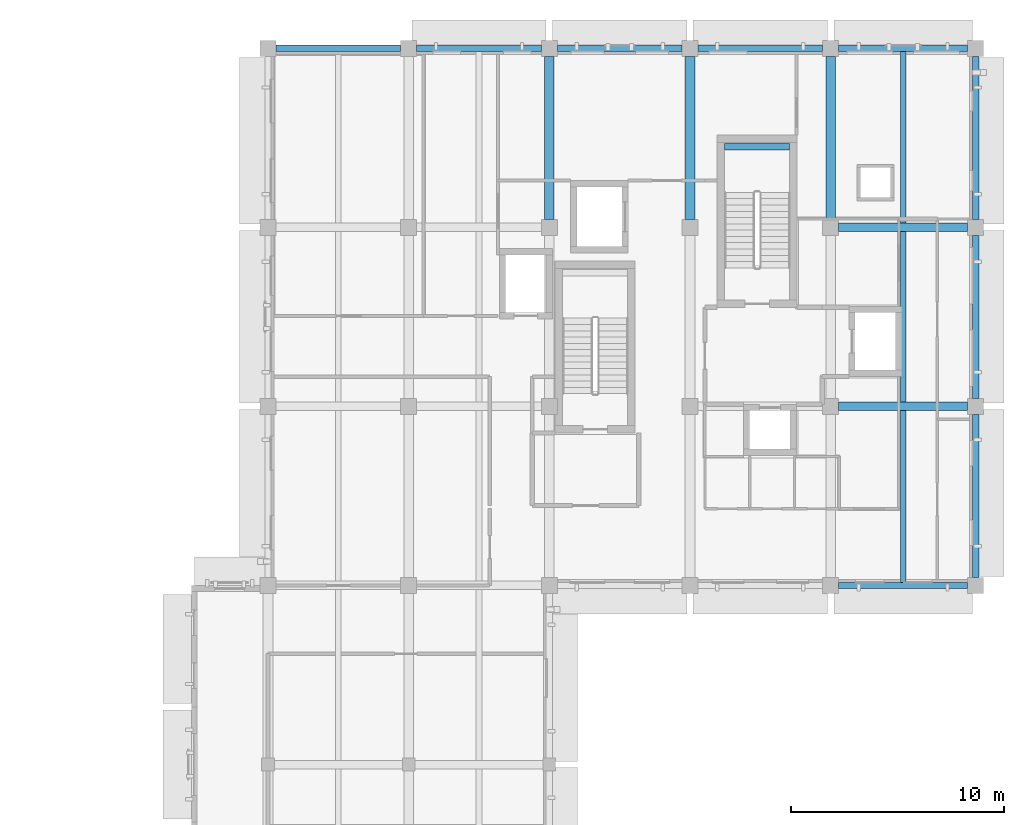
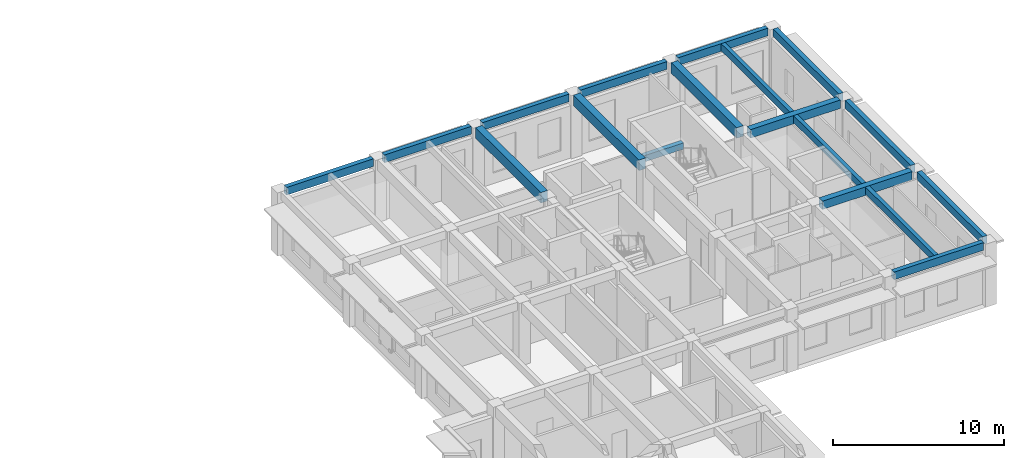
# One storey, part 3 of 20: 18 beams.
"""IFC4 building model written with IfcOpenShell, lengths in metres."""

from ifc_helpers import new_model, si_unit, direction, frame, origin, origin_2d, place, context, subcontext, project, spatial, rectangle, extrude, material, material_profile, profile_set, type_object, element, save


model = new_model("IFC4")

# Units and contexts
model_context = context("Model", 3, precision=1e-05, world=origin(), true_north=direction((0.0, 1.0)))
body_context = subcontext(model_context, "Body", "Model", "MODEL_VIEW")
ifc_project = project(units=[si_unit("LENGTHUNIT", "METRE"), si_unit("AREAUNIT", "SQUARE_METRE"), si_unit("VOLUMEUNIT", "CUBIC_METRE"), si_unit("PLANEANGLEUNIT", "RADIAN"), si_unit("MASSUNIT", "GRAM", prefix="KILO")], contexts=[model_context])

# Site, building, storey
site_placement = place(None, origin())
site = spatial("IfcSite", under=ifc_project, at=site_placement, CompositionType="ELEMENT")
building_placement = place(site_placement, origin())
building = spatial("IfcBuilding", under=site, at=building_placement, Name="Kolvaren Faculty of Natural Sciences", CompositionType="ELEMENT")
storey_placement = place(building_placement, frame((0.0, 0.0, 24.0)))
storey = spatial("IfcBuildingStorey", under=building, at=storey_placement, Name="L05", CompositionType="ELEMENT", Elevation=24.0)

# Beams
ifc_material_1 = material(Name="Concrete C40/50", Category="concrete")
ifc_material_profile_1 = material_profile(ifc_material_1, rectangle(XDim=0.300048828125, YDim=0.449951171875, at=origin_2d()), Name="RC LNT 300x450")
ifc_profile_set_1 = profile_set([ifc_material_profile_1], Name="Concrete C40/50")
beam_type_1 = type_object("IfcBeamType", Name="CoreCouplingLintel_300x450", PredefinedType="LINTEL", material=ifc_profile_set_1)
beam_1_placement = place(storey_placement, frame((160.22509765625, 79.580078125, 1.824951171875), z_axis=(1.0, 0.0, 0.0), x_axis=(0.0, 1.0, 0.0)))
element("IfcBeam", 1, at=beam_1_placement, inside=storey, type_object=beam_type_1, Name="L05 ST-1 half-landing support lintel", PredefinedType="LINTEL", context=body_context, shape_type="SweptSolid", body=[
    extrude(rectangle(XDim=0.300048828125, YDim=0.449951171875, at=origin_2d()), origin(), (0.0, 0.0, 1.0), 3.0498046875),
])
ifc_material_2 = material(Name="Concrete C35/45", Category="concrete")
ifc_material_profile_2 = material_profile(ifc_material_2, rectangle(XDim=0.39990234375, YDim=0.60009765625, at=origin_2d()), Name="RC BM 400x600")
ifc_profile_set_2 = profile_set([ifc_material_profile_2], Name="Concrete C35/45")
beam_type_2 = type_object("IfcBeamType", Name="GridBeam_400x600", PredefinedType="BEAM", material=ifc_profile_set_2)
for number, where, z_axis, x_axis, name in (
    (2, (165.574951171875, 67.39990234375, 4.199951171875), (1.0, 0.0, 0.0), (0.0, 1.0, 0.0), "L05 beam BM-60 on grid J"),
    (3, (165.574951171875, 75.800048828125, 4.199951171875), (1.0, 0.0, 0.0), (0.0, 1.0, 0.0), "L05 beam BM-60 on grid K"),
):
    element("IfcBeam", number, at=place(storey_placement, frame(where, z_axis=z_axis, x_axis=x_axis)), inside=storey, type_object=beam_type_2, Name=name, PredefinedType="BEAM", context=body_context, shape_type="SweptSolid", body=[
        extrude(rectangle(XDim=0.39990234375, YDim=0.60009765625, at=origin_2d()), origin(), (0.0, 0.0, 1.0), 6.050048828125),
    ])
ifc_material_profile_3 = material_profile(ifc_material_2, rectangle(XDim=0.260009765625, YDim=0.5, at=origin_2d()), Name="RC JST 260x500")
ifc_profile_set_3 = profile_set([ifc_material_profile_3], Name="Concrete C35/45")
beam_type_3 = type_object("IfcBeamType", Name="LabRibJoist_260x500", PredefinedType="JOIST", material=ifc_profile_set_3)
beam_2_placement = place(storey_placement, frame((168.60009765625, 59.14990234375, 4.25), z_axis=(0.0, 1.0, 0.0), x_axis=(-1.0, 0.0, 0.0)))
element("IfcBeam", 4, at=beam_2_placement, inside=storey, type_object=beam_type_3, Name="L05 ribbed laboratory slab joist JS-50", PredefinedType="JOIST", context=body_context, shape_type="SweptSolid", body=[
    extrude(rectangle(XDim=0.260009765625, YDim=0.5, at=origin_2d()), origin(), (0.0, 0.0, 1.0), 8.050048828125),
])
beam_3_placement = place(storey_placement, frame((168.60009765625, 67.60009765625, 4.25), z_axis=(0.0, 1.0, 0.0), x_axis=(-1.0, 0.0, 0.0)))
element("IfcBeam", 5, at=beam_3_placement, inside=storey, type_object=beam_type_3, Name="L05 ribbed laboratory slab joist JS-50", PredefinedType="JOIST", context=body_context, shape_type="SweptSolid", body=[
    extrude(rectangle(XDim=0.260009765625, YDim=0.5, at=origin_2d()), origin(), (0.0, 0.0, 1.0), 8.0),
])
beam_4_placement = place(storey_placement, frame((168.60009765625, 76.0, 4.25), z_axis=(0.0, 1.0, 0.0), x_axis=(-1.0, 0.0, 0.0)))
element("IfcBeam", 6, at=beam_4_placement, inside=storey, type_object=beam_type_3, Name="L05 ribbed laboratory slab joist JS-50", PredefinedType="JOIST", context=body_context, shape_type="SweptSolid", body=[
    extrude(rectangle(XDim=0.260009765625, YDim=0.5, at=origin_2d()), origin(), (0.0, 0.0, 1.0), 8.050048828125),
])
ifc_material_profile_4 = material_profile(ifc_material_2, rectangle(XDim=0.300048828125, YDim=0.550048828125, at=origin_2d()), Name="RC SP 300x550")
ifc_profile_set_4 = profile_set([ifc_material_profile_4], Name="Concrete C35/45")
beam_type_4 = type_object("IfcBeamType", Name="PerimeterSpandrel_300x550", PredefinedType="SPANDREL", material=ifc_profile_set_4)
beam_5_placement = place(storey_placement, frame((165.574951171875, 59.0, 4.22509765625), z_axis=(1.0, 0.0, 0.0), x_axis=(0.0, 1.0, 0.0)))
element("IfcBeam", 7, at=beam_5_placement, inside=storey, type_object=beam_type_4, Name="L05 spandrel SP-55 on grid H", PredefinedType="SPANDREL", context=body_context, shape_type="SweptSolid", body=[
    extrude(rectangle(XDim=0.300048828125, YDim=0.550048828125, at=origin_2d()), origin(), (0.0, 0.0, 1.0), 6.050048828125),
])
beam_6_placement = place(storey_placement, frame((139.175048828125, 84.199951171875, 4.22509765625), z_axis=(1.0, 0.0, 0.0), x_axis=(0.0, 1.0, 0.0)))
element("IfcBeam", 8, at=beam_6_placement, inside=storey, type_object=beam_type_4, Name="L05 spandrel SP-55 on grid L", PredefinedType="SPANDREL", context=body_context, shape_type="SweptSolid", body=[
    extrude(rectangle(XDim=0.300048828125, YDim=0.550048828125, at=origin_2d()), origin(), (0.0, 0.0, 1.0), 5.849853515625),
])
for number, where, z_axis, x_axis, name in (
    (9, (145.77490234375, 84.199951171875, 4.22509765625), (1.0, 0.0, 0.0), (0.0, 1.0, 0.0), "L05 spandrel SP-55 on grid L"),
    (10, (152.375, 84.199951171875, 4.22509765625), (1.0, 0.0, 0.0), (0.0, 1.0, 0.0), "L05 spandrel SP-55 on grid L"),
):
    element("IfcBeam", number, at=place(storey_placement, frame(where, z_axis=z_axis, x_axis=x_axis)), inside=storey, type_object=beam_type_4, Name=name, PredefinedType="SPANDREL", context=body_context, shape_type="SweptSolid", body=[
        extrude(rectangle(XDim=0.300048828125, YDim=0.550048828125, at=origin_2d()), origin(), (0.0, 0.0, 1.0), 5.85009765625),
    ])
beam_7_placement = place(storey_placement, frame((158.97509765625, 84.199951171875, 4.22509765625), z_axis=(1.0, 0.0, 0.0), x_axis=(0.0, 1.0, 0.0)))
element("IfcBeam", 11, at=beam_7_placement, inside=storey, type_object=beam_type_4, Name="L05 spandrel SP-55 on grid L", PredefinedType="SPANDREL", context=body_context, shape_type="SweptSolid", body=[
    extrude(rectangle(XDim=0.300048828125, YDim=0.550048828125, at=origin_2d()), origin(), (0.0, 0.0, 1.0), 5.849853515625),
])
beam_8_placement = place(storey_placement, frame((165.574951171875, 84.199951171875, 4.22509765625), z_axis=(1.0, 0.0, 0.0), x_axis=(0.0, 1.0, 0.0)))
element("IfcBeam", 12, at=beam_8_placement, inside=storey, type_object=beam_type_4, Name="L05 spandrel SP-55 on grid L", PredefinedType="SPANDREL", context=body_context, shape_type="SweptSolid", body=[
    extrude(rectangle(XDim=0.300048828125, YDim=0.550048828125, at=origin_2d()), origin(), (0.0, 0.0, 1.0), 6.050048828125),
])
beam_9_placement = place(storey_placement, frame((172.0, 59.375, 4.22509765625), z_axis=(0.0, 1.0, 0.0), x_axis=(-1.0, 0.0, 0.0)))
element("IfcBeam", 13, at=beam_9_placement, inside=storey, type_object=beam_type_4, Name="L05 girder SP-55 on grid 27", PredefinedType="SPANDREL", context=body_context, shape_type="SweptSolid", body=[
    extrude(rectangle(XDim=0.300048828125, YDim=0.550048828125, at=origin_2d()), origin(), (0.0, 0.0, 1.0), 7.64990234375),
])
beam_10_placement = place(storey_placement, frame((172.0, 67.77490234375, 4.22509765625), z_axis=(0.0, 1.0, 0.0), x_axis=(-1.0, 0.0, 0.0)))
element("IfcBeam", 14, at=beam_10_placement, inside=storey, type_object=beam_type_4, Name="L05 girder SP-55 on grid 27", PredefinedType="SPANDREL", context=body_context, shape_type="SweptSolid", body=[
    extrude(rectangle(XDim=0.300048828125, YDim=0.550048828125, at=origin_2d()), origin(), (0.0, 0.0, 1.0), 7.650146484375),
])
beam_11_placement = place(storey_placement, frame((172.0, 76.175048828125, 4.22509765625), z_axis=(0.0, 1.0, 0.0), x_axis=(-1.0, 0.0, 0.0)))
element("IfcBeam", 15, at=beam_11_placement, inside=storey, type_object=beam_type_4, Name="L05 girder SP-55 on grid 27", PredefinedType="SPANDREL", context=body_context, shape_type="SweptSolid", body=[
    extrude(rectangle(XDim=0.300048828125, YDim=0.550048828125, at=origin_2d()), origin(), (0.0, 0.0, 1.0), 7.64990234375),
])
ifc_material_profile_5 = material_profile(ifc_material_2, rectangle(XDim=0.449951171875, YDim=0.75, at=origin_2d()), Name="RC BM 450x750")
ifc_profile_set_5 = profile_set([ifc_material_profile_5], Name="Concrete C35/45")
beam_type_5 = type_object("IfcBeamType", Name="PrimaryGirder_450x750", PredefinedType="BEAM", material=ifc_profile_set_5)
for number, where, z_axis, x_axis, name in (
    (16, (152.0, 76.175048828125, 4.125), (0.0, 1.0, 0.0), (-1.0, 0.0, 0.0), "L05 girder BG-75 on grid 24"),
    (17, (158.60009765625, 76.175048828125, 4.125), (0.0, 1.0, 0.0), (-1.0, 0.0, 0.0), "L05 girder BG-75 on grid 25"),
    (18, (165.199951171875, 76.175048828125, 4.125), (0.0, 1.0, 0.0), (-1.0, 0.0, 0.0), "L05 girder BG-75 on grid 26"),
):
    element("IfcBeam", number, at=place(storey_placement, frame(where, z_axis=z_axis, x_axis=x_axis)), inside=storey, type_object=beam_type_5, Name=name, PredefinedType="BEAM", context=body_context, shape_type="SweptSolid", body=[
        extrude(rectangle(XDim=0.449951171875, YDim=0.75, at=origin_2d()), origin(), (0.0, 0.0, 1.0), 7.64990234375),
    ])

save(model, "model.ifc")
